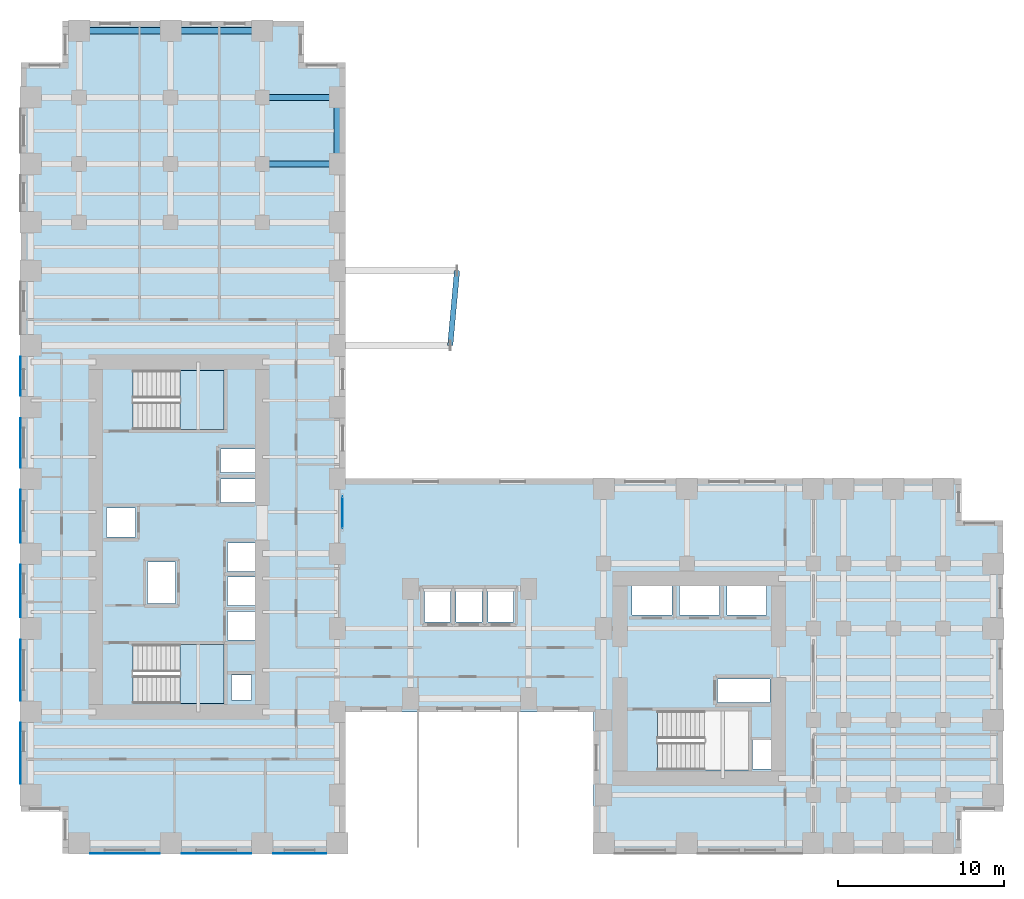
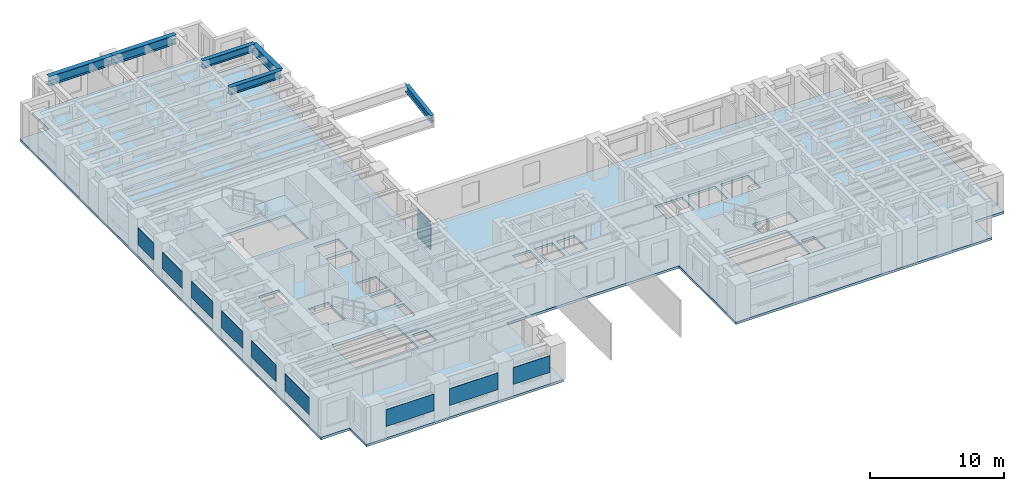
# One storey, part 4 of 14: 10 plates, 6 beams, 3 slabs, 3 elements without a shape of their own.
"""IFC4 building model written with IfcOpenShell, lengths in metres."""

from ifc_helpers import new_model, si_unit, direction, frame, origin, origin_2d, place, context, subcontext, project, spatial, polyline, rectangle, i_section, outline, extrude, source, transform, mapped, material, layer, layer_set, material_profile, profile_set, type_object, element, aggregate, save


model = new_model("IFC4")

# Units and contexts
model_context = context("Model", 3, precision=1e-05, world=origin(), true_north=direction((0.0, 1.0)))
body_context = subcontext(model_context, "Body", "Model", "MODEL_VIEW")
ifc_project = project(units=[si_unit("LENGTHUNIT", "METRE"), si_unit("AREAUNIT", "SQUARE_METRE"), si_unit("VOLUMEUNIT", "CUBIC_METRE"), si_unit("PLANEANGLEUNIT", "RADIAN"), si_unit("MASSUNIT", "GRAM", prefix="KILO")], contexts=[model_context])

# Site, building, storey
site_placement = place(None, origin())
site = spatial("IfcSite", under=ifc_project, at=site_placement, CompositionType="ELEMENT")
building_placement = place(site_placement, origin())
building = spatial("IfcBuilding", under=site, at=building_placement, Name="Kharzan Plaza Tower", CompositionType="ELEMENT")
storey_placement = place(building_placement, frame((0.0, 0.0, 36.89990234375)))
storey = spatial("IfcBuildingStorey", under=building, at=storey_placement, Name="L09", CompositionType="ELEMENT", Elevation=36.89990234375)

# Beams
ifc_material_1 = material(Name="Steel S355", Category="steel")
ifc_material_profile_1 = material_profile(ifc_material_1, i_section(OverallWidth=0.35498046875, OverallDepth=0.695068359375, WebThickness=0.015380859375, FlangeThickness=0.02490234375, at=origin_2d()), Name="W690x217")
ifc_profile_set_1 = profile_set([ifc_material_profile_1], Name="Steel S355")
beam_type_1 = type_object("IfcBeamType", Name="BM-FG690A", PredefinedType="BEAM", material=ifc_profile_set_1)
shared_shape_1 = source(origin(), body_context, "Body", "SweptSolid", [
    extrude(i_section(OverallWidth=0.35498046875, OverallDepth=0.695068359375, WebThickness=0.015380859375, FlangeThickness=0.02490234375, at=origin_2d()), origin(), (0.0, 0.0, 1.0), 4.5),
])
for number, where, z_axis, x_axis, name in (
    (1, (14.5, 41.39990234375, 3.03271484375), (1.0, 0.0, 0.0), (0.0, 1.0, 0.0), "L09 Primary Floor Girder"),
    (2, (14.5, 45.39990234375, 3.03271484375), (1.0, 0.0, 0.0), (0.0, 1.0, 0.0), "L09 Primary Floor Girder"),
):
    element("IfcBeam", number, at=place(storey_placement, frame(where, z_axis=z_axis, x_axis=x_axis)), inside=storey, type_object=beam_type_1, Name=name, PredefinedType="BEAM", context=body_context, shape_type="MappedRepresentation", body=[
        mapped(shared_shape_1, transform((0.0, 0.0, 0.0), x_axis=(1.0, 0.0, 0.0), y_axis=(0.0, 1.0, 0.0), z_axis=(0.0, 0.0, 1.0))),
    ])
ifc_material_profile_2 = material_profile(ifc_material_1, i_section(OverallWidth=0.40087890625, OverallDepth=0.85498046875, WebThickness=0.018310546875, FlangeThickness=0.029296875, at=origin_2d()), Name="W840x299")
ifc_profile_set_2 = profile_set([ifc_material_profile_2], Name="Steel S355")
beam_type_2 = type_object("IfcBeamType", Name="BM-SP840A", PredefinedType="SPANDREL", material=ifc_profile_set_2)
shared_shape_2 = source(origin(), body_context, "Body", "SweptSolid", [
    extrude(i_section(OverallWidth=0.40087890625, OverallDepth=0.85498046875, WebThickness=0.018310546875, FlangeThickness=0.029296875, at=origin_2d()), origin(), (0.0, 0.0, 1.0), 4.0),
])
beam_1_placement = place(storey_placement, frame((19.0, 41.39990234375, 2.95263671875), z_axis=(0.0, 1.0, 0.0), x_axis=(-1.0, 0.0, 0.0)))
element("IfcBeam", 3, at=beam_1_placement, inside=storey, type_object=beam_type_2, Name="L09 Perimeter Tube Spandrel", PredefinedType="SPANDREL", context=body_context, shape_type="MappedRepresentation", body=[
    mapped(shared_shape_2, transform((0.0, 0.0, 0.0), x_axis=(1.0, 0.0, 0.0), y_axis=(0.0, 1.0, 0.0), z_axis=(0.0, 0.0, 1.0))),
])
shared_shape_3 = source(origin(), body_context, "Body", "SweptSolid", [
    extrude(i_section(OverallWidth=0.40087890625, OverallDepth=0.85498046875, WebThickness=0.018310546875, FlangeThickness=0.029296875, at=origin_2d()), origin(), (0.0, 0.0, 1.0), 5.5),
])
for number, where, z_axis, x_axis, name in (
    (4, (3.5, 49.39990234375, 2.95263671875), (1.0, 0.0, 0.0), (0.0, 1.0, 0.0), "L09 Perimeter Tube Spandrel"),
    (5, (9.0, 49.39990234375, 2.95263671875), (1.0, 0.0, 0.0), (0.0, 1.0, 0.0), "L09 Perimeter Tube Spandrel"),
):
    element("IfcBeam", number, at=place(storey_placement, frame(where, z_axis=z_axis, x_axis=x_axis)), inside=storey, type_object=beam_type_2, Name=name, PredefinedType="SPANDREL", context=body_context, shape_type="MappedRepresentation", body=[
        mapped(shared_shape_3, transform((0.0, 0.0, 0.0), x_axis=(1.0, 0.0, 0.0), y_axis=(0.0, 1.0, 0.0), z_axis=(0.0, 0.0, 1.0))),
    ])
ifc_material_profile_3 = material_profile(ifc_material_1, i_section(OverallWidth=0.324951171875, OverallDepth=0.615966796875, WebThickness=0.013916015625, FlangeThickness=0.021484375, at=origin_2d()), Name="W610x174")
ifc_profile_set_3 = profile_set([ifc_material_profile_3], Name="Steel S355")
beam_type_3 = type_object("IfcBeamType", Name="BM-ZTT610", PredefinedType="BEAM", material=ifc_profile_set_3)
shared_shape_4 = source(origin(), body_context, "Body", "SweptSolid", [
    extrude(i_section(OverallWidth=0.324951171875, OverallDepth=0.615966796875, WebThickness=0.013916015625, FlangeThickness=0.021484375, at=origin_2d()), origin(), (0.0, 0.0, 1.0), 4.5185546875),
])
beam_2_placement = place(storey_placement, frame((25.7900390625, 30.5, 3.072021484375), z_axis=(0.09071599143, 0.995876804077, 0.0), x_axis=(-0.995876804077, 0.09071599143, 0.0)))
element("IfcBeam", 6, at=beam_2_placement, inside=storey, type_object=beam_type_3, Name="L09 Sky-Terrace Edge Trimmer Beam ZTT1 (L10)", PredefinedType="BEAM", context=body_context, shape_type="MappedRepresentation", body=[
    mapped(shared_shape_4, transform((0.0, 0.0, 0.0), x_axis=(1.0, 0.0, 0.0), y_axis=(0.0, 1.0, 0.0), z_axis=(0.0, 0.0, 1.0))),
])

# Slab
ifc_material_2 = material(Name="Concrete C40/50", Category="concrete")
ifc_layer_1 = layer(ifc_material_2, 0.219970703125)
ifc_layer_set_1 = layer_set([ifc_layer_1], Name="Concrete C40/50")
slab_type_1 = type_object("IfcSlabType", Name="SL-FLOOR-220", PredefinedType="FLOOR", material=ifc_layer_set_1)
slab_1_placement = place(storey_placement, frame((0.0, 0.0, -0.219970703125)))
element("IfcSlab", 7, at=slab_1_placement, inside=storey, type_object=slab_type_1, Name="L09 Composite Structural Floor Slab 220 mm", PredefinedType="FLOOR", context=body_context, shape_type="SweptSolid", body=[
    extrude(outline(polyline([(34.39990234375, 22.5), (19.5, 22.5), (19.5, 47.5), (17.0, 47.5), (17.0, 50.0), (2.5, 50.0), (2.5, 47.5), (0.0, 47.5), (0.0, 2.5), (2.5, 2.5), (2.5, 0.0), (19.5, 0.0), (19.5, 8.5), (34.39990234375, 8.5), (34.39990234375, 0.0), (56.5, 0.0), (56.5, 2.5), (59.0, 2.5), (59.0, 20.0), (56.5, 20.0), (56.5, 22.5), (34.39990234375, 22.5)]), holes=[polyline([(13.85009765625, 9.199951171875), (13.85009765625, 10.699951171875), (12.64990234375, 10.699951171875), (12.64990234375, 9.199951171875), (13.85009765625, 9.199951171875)]), polyline([(12.199951171875, 9.0), (12.199951171875, 12.550048828125), (6.75, 12.550048828125), (6.75, 9.0), (12.199951171875, 9.0)]), polyline([(14.10009765625, 12.800048828125), (14.10009765625, 14.530029296875), (12.39990234375, 14.530029296875), (12.39990234375, 12.800048828125), (14.10009765625, 12.800048828125)]), polyline([(14.10009765625, 14.8701171875), (14.10009765625, 16.60009765625), (12.39990234375, 16.60009765625), (12.39990234375, 14.8701171875), (14.10009765625, 14.8701171875)]), polyline([(9.300048828125, 15.0), (9.300048828125, 17.5), (7.60009765625, 17.5), (7.60009765625, 15.0), (9.300048828125, 15.0)]), polyline([(14.10009765625, 16.93994140625), (14.10009765625, 18.64990234375), (12.39990234375, 18.64990234375), (12.39990234375, 16.93994140625), (14.10009765625, 16.93994140625)]), polyline([(6.89990234375, 19.010009765625), (6.89990234375, 20.72998046875), (5.14990234375, 20.72998046875), (5.14990234375, 19.010009765625), (6.89990234375, 19.010009765625)]), polyline([(12.0, 21.070068359375), (14.10009765625, 21.070068359375), (14.10009765625, 22.489990234375), (12.0, 22.489990234375), (12.0, 21.070068359375)]), polyline([(12.0, 22.8701171875), (14.10009765625, 22.8701171875), (14.10009765625, 24.2900390625), (12.0, 24.2900390625), (12.0, 22.8701171875)]), polyline([(12.199951171875, 25.449951171875), (12.199951171875, 29.0), (6.75, 29.0), (6.75, 25.449951171875), (12.199951171875, 25.449951171875)]), polyline([(45.050048828125, 5.050048828125), (45.050048828125, 6.800048828125), (43.949951171875, 6.800048828125), (43.949951171875, 5.050048828125), (45.050048828125, 5.050048828125)]), polyline([(43.699951171875, 5.0), (43.699951171875, 8.550048828125), (38.25, 8.550048828125), (38.25, 5.0), (43.699951171875, 5.0)]), polyline([(41.85009765625, 9.070068359375), (45.0, 9.070068359375), (45.0, 10.469970703125), (41.85009765625, 10.469970703125), (41.85009765625, 9.070068359375)]), polyline([(24.25, 13.89990234375), (25.800048828125, 13.89990234375), (25.800048828125, 15.85009765625), (24.25, 15.85009765625), (24.25, 13.89990234375)]), polyline([(27.699951171875, 13.89990234375), (27.699951171875, 15.85009765625), (26.14990234375, 15.85009765625), (26.14990234375, 13.89990234375), (27.699951171875, 13.89990234375)]), polyline([(29.60009765625, 13.89990234375), (29.60009765625, 15.85009765625), (28.050048828125, 15.85009765625), (28.050048828125, 13.89990234375), (29.60009765625, 13.89990234375)]), polyline([(39.10009765625, 14.300048828125), (39.10009765625, 16.14990234375), (36.699951171875, 16.14990234375), (36.699951171875, 14.300048828125), (39.10009765625, 14.300048828125)]), polyline([(39.550048828125, 14.300048828125), (41.949951171875, 14.300048828125), (41.949951171875, 16.14990234375), (39.550048828125, 16.14990234375), (39.550048828125, 14.300048828125)]), polyline([(42.39990234375, 14.300048828125), (44.800048828125, 14.300048828125), (44.800048828125, 16.14990234375), (42.39990234375, 16.14990234375), (42.39990234375, 14.300048828125)])]), origin(), (0.0, 0.0, 1.0), 0.219970703125),
])

# Stair, slab
stair_type_1 = type_object("IfcStairType", Name="STR-ST-1", PredefinedType="HALF_TURN_STAIR", material=ifc_material_2)
stair_1_placement = place(storey_placement, origin())
stair_1 = element("IfcStair", 8, at=stair_1_placement, inside=storey, type_object=stair_type_1, Name="L09 Protected Exit Stair ST-1", PredefinedType="HALF_TURN_STAIR")
ifc_layer_2 = layer(ifc_material_2, 0.219970703125)
ifc_layer_set_2 = layer_set([ifc_layer_2], Name="Concrete C40/50")
slab_type_2 = type_object("IfcSlabType", Name="SL-LANDING-220", PredefinedType="LANDING", material=ifc_layer_set_2)
slab_2_placement = place(storey_placement, frame((0.0, 0.0, 1.60009765625)))
slab_2 = element("IfcSlab", 9, at=slab_2_placement, type_object=slab_type_2, Name="ST-1 landing 1", PredefinedType="LANDING", context=body_context, shape_type="SweptSolid", body=[
    extrude(outline(polyline([(9.550048828125, 9.0), (12.199951171875, 9.0), (12.199951171875, 12.550048828125), (9.550048828125, 12.550048828125), (9.550048828125, 9.0)])), origin(), (0.0, 0.0, 1.0), 0.199951171875),
])
aggregate(stair_1, [slab_2])

stair_type_2 = type_object("IfcStairType", Name="STR-ST-2", PredefinedType="HALF_TURN_STAIR", material=ifc_material_2)
stair_2_placement = place(storey_placement, origin())
stair_2 = element("IfcStair", 10, at=stair_2_placement, inside=storey, type_object=stair_type_2, Name="L09 Protected Exit Stair ST-2", PredefinedType="HALF_TURN_STAIR")
slab_3_placement = place(storey_placement, frame((0.0, 0.0, 1.60009765625)))
slab_3 = element("IfcSlab", 11, at=slab_3_placement, type_object=slab_type_2, Name="ST-2 landing 1", PredefinedType="LANDING", context=body_context, shape_type="SweptSolid", body=[
    extrude(outline(polyline([(9.550048828125, 25.449951171875), (12.199951171875, 25.449951171875), (12.199951171875, 29.0), (9.550048828125, 29.0), (9.550048828125, 25.449951171875)])), origin(), (0.0, 0.0, 1.0), 0.199951171875),
])
aggregate(stair_2, [slab_3])

# Curtain wall, plate
ifc_material_3 = material(Name="Unitised Bronze-Anodized Aluminium and Low-E Glass", Category="aluminium")
ifc_layer_3 = layer(ifc_material_3, 0.199951171875)
ifc_layer_set_3 = layer_set([ifc_layer_3], Name="Unitised Bronze-Anodized Aluminium and Low-E Glass")
curtain_wall_type = type_object("IfcCurtainWallType", Name="CW-SLOT-3", PredefinedType="NOTDEFINED", material=ifc_layer_set_3)
curtain_wall_placement = place(storey_placement, origin())
curtain_wall = element("IfcCurtainWall", 12, at=curtain_wall_placement, inside=storey, type_object=curtain_wall_type, Name="L09 West Slot Recessed Spine Curtain Wall", PredefinedType="NOTDEFINED")
ifc_material_4 = material(Name="Dark Solar-Control Double Glazing", Category="glass")
ifc_layer_4 = layer(ifc_material_4, 0.031982421875)
ifc_layer_set_4 = layer_set([ifc_layer_4], Name="Dark Solar-Control Double Glazing")
plate_type_1 = type_object("IfcPlateType", Name="PLT-CW-GLASS", PredefinedType="CURTAIN_PANEL", material=ifc_layer_set_4)
shared_shape_5 = source(origin(), body_context, "Body", "SweptSolid", [
    extrude(rectangle(XDim=1.929931640625, YDim=0.031982421875, at=origin_2d()), origin(), (0.0, 0.0, 1.0), 2.5400390625),
])
plate_1_placement = place(storey_placement, frame((19.320068359375, 20.47509765625, 0.080078125), z_axis=(0.0, 0.0, 1.0), x_axis=(0.0, 1.0, 0.0)))
plate_1 = element("IfcPlate", 13, at=plate_1_placement, type_object=plate_type_1, Name="L09 Curtain-Wall Glazed Panel 00", PredefinedType="CURTAIN_PANEL", context=body_context, shape_type="MappedRepresentation", body=[
    mapped(shared_shape_5, transform((0.0, 0.0, 0.0), x_axis=(1.0, 0.0, 0.0), y_axis=(0.0, 1.0, 0.0), z_axis=(0.0, 0.0, 1.0))),
])
aggregate(curtain_wall, [plate_1])

# Plates
ifc_material_5 = material(Name="Perforated Bronze-Anodized Aluminium", Category="aluminium")
ifc_layer_5 = layer(ifc_material_5, 0.030029296875)
ifc_layer_set_5 = layer_set([ifc_layer_5], Name="Perforated Bronze-Anodized Aluminium")
plate_type_2 = type_object("IfcPlateType", Name="PLT-MASH-SCREEN", PredefinedType="SHEET", material=ifc_layer_set_5)
shared_shape_6 = source(origin(), body_context, "Body", "SweptSolid", [
    extrude(rectangle(XDim=2.364013671875, YDim=0.030029296875, at=origin_2d()), origin(), (0.0, 0.0, 1.0), 1.530029296875),
])
plate_2_placement = place(storey_placement, frame((-0.012939453125, 28.64990234375, 1.06494140625), z_axis=(0.0, 0.0, 1.0), x_axis=(0.0, -1.0, 0.0)))
element("IfcPlate", 14, at=plate_2_placement, inside=storey, type_object=plate_type_2, Name="L09 Perforated Mashrabiya Solar Screen", PredefinedType="SHEET", context=body_context, shape_type="MappedRepresentation", body=[
    mapped(shared_shape_6, transform((0.0, 0.0, 0.0), x_axis=(1.0, 0.0, 0.0), y_axis=(0.0, 1.0, 0.0), z_axis=(0.0, 0.0, 1.0))),
])
shared_shape_7 = source(origin(), body_context, "Body", "SweptSolid", [
    extrude(rectangle(XDim=2.964111328125, YDim=0.030029296875, at=origin_2d()), origin(), (0.0, 0.0, 1.0), 1.530029296875),
])
plate_3_placement = place(storey_placement, frame((-0.012939453125, 24.64990234375, 1.06494140625), z_axis=(0.0, 0.0, 1.0), x_axis=(0.0, -1.0, 0.0)))
element("IfcPlate", 15, at=plate_3_placement, inside=storey, type_object=plate_type_2, Name="L09 Perforated Mashrabiya Solar Screen", PredefinedType="SHEET", context=body_context, shape_type="MappedRepresentation", body=[
    mapped(shared_shape_7, transform((0.0, 0.0, 0.0), x_axis=(1.0, 0.0, 0.0), y_axis=(0.0, 1.0, 0.0), z_axis=(0.0, 0.0, 1.0))),
])
shared_shape_8 = source(origin(), body_context, "Body", "SweptSolid", [
    extrude(rectangle(XDim=3.1640625, YDim=0.030029296875, at=origin_2d()), origin(), (0.0, 0.0, 1.0), 1.530029296875),
])
for number, where, z_axis, x_axis, name in (
    (16, (-0.012939453125, 20.25, 1.06494140625), (0.0, 0.0, 1.0), (0.0, -1.0, 0.0), "L09 Perforated Mashrabiya Solar Screen"),
    (17, (-0.012939453125, 15.75, 1.06494140625), (0.0, 0.0, 1.0), (0.0, -1.0, 0.0), "L09 Perforated Mashrabiya Solar Screen"),
    (18, (16.75, -0.012939453125, 1.06494140625), (0.0, 0.0, 1.0), (1.0, 0.0, 0.0), "L09 Perforated Mashrabiya Solar Screen"),
):
    element("IfcPlate", number, at=place(storey_placement, frame(where, z_axis=z_axis, x_axis=x_axis)), inside=storey, type_object=plate_type_2, Name=name, PredefinedType="SHEET", context=body_context, shape_type="MappedRepresentation", body=[
        mapped(shared_shape_8, transform((0.0, 0.0, 0.0), x_axis=(1.0, 0.0, 0.0), y_axis=(0.0, 1.0, 0.0), z_axis=(0.0, 0.0, 1.0))),
    ])
shared_shape_9 = source(origin(), body_context, "Body", "SweptSolid", [
    extrude(rectangle(XDim=3.6640625, YDim=0.030029296875, at=origin_2d()), origin(), (0.0, 0.0, 1.0), 1.530029296875),
])
for number, where, z_axis, x_axis, name in (
    (19, (-0.012939453125, 11.0, 1.06494140625), (0.0, 0.0, 1.0), (0.0, -1.0, 0.0), "L09 Perforated Mashrabiya Solar Screen"),
    (20, (-0.012939453125, 6.0, 1.06494140625), (0.0, 0.0, 1.0), (0.0, -1.0, 0.0), "L09 Perforated Mashrabiya Solar Screen"),
):
    element("IfcPlate", number, at=place(storey_placement, frame(where, z_axis=z_axis, x_axis=x_axis)), inside=storey, type_object=plate_type_2, Name=name, PredefinedType="SHEET", context=body_context, shape_type="MappedRepresentation", body=[
        mapped(shared_shape_9, transform((0.0, 0.0, 0.0), x_axis=(1.0, 0.0, 0.0), y_axis=(0.0, 1.0, 0.0), z_axis=(0.0, 0.0, 1.0))),
    ])
shared_shape_10 = source(origin(), body_context, "Body", "SweptSolid", [
    extrude(rectangle(XDim=4.1640625, YDim=0.030029296875, at=origin_2d()), origin(), (0.0, 0.0, 1.0), 1.530029296875),
])
for number, where, z_axis, x_axis, name in (
    (21, (6.25, -0.012939453125, 1.06494140625), (0.0, 0.0, 1.0), (1.0, 0.0, 0.0), "L09 Perforated Mashrabiya Solar Screen"),
    (22, (11.75, -0.012939453125, 1.06494140625), (0.0, 0.0, 1.0), (1.0, 0.0, 0.0), "L09 Perforated Mashrabiya Solar Screen"),
):
    element("IfcPlate", number, at=place(storey_placement, frame(where, z_axis=z_axis, x_axis=x_axis)), inside=storey, type_object=plate_type_2, Name=name, PredefinedType="SHEET", context=body_context, shape_type="MappedRepresentation", body=[
        mapped(shared_shape_10, transform((0.0, 0.0, 0.0), x_axis=(1.0, 0.0, 0.0), y_axis=(0.0, 1.0, 0.0), z_axis=(0.0, 0.0, 1.0))),
    ])

save(model, "model.ifc")
